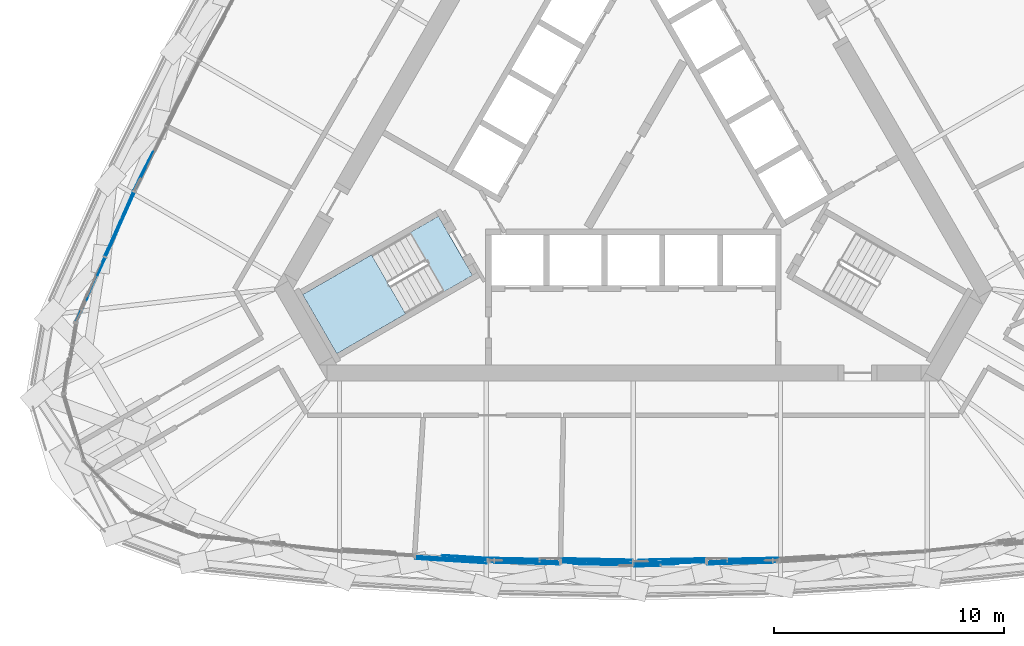
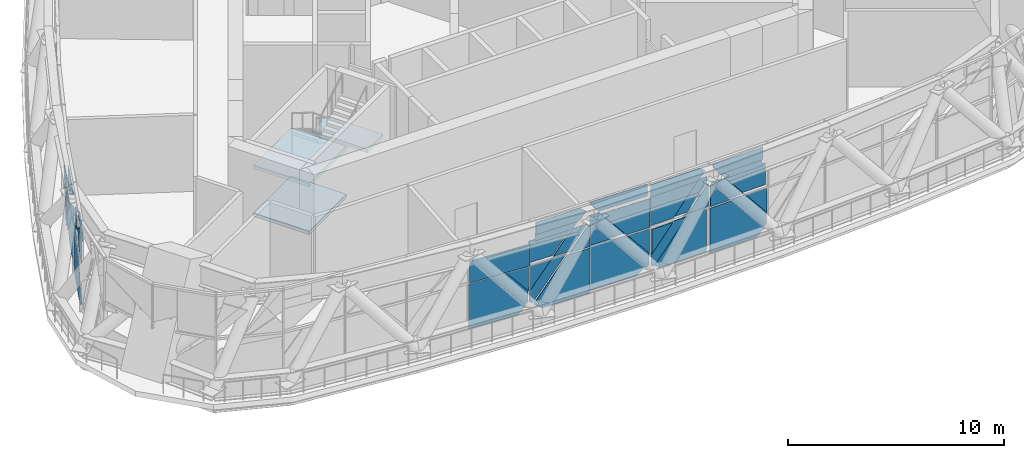
# One storey, part 10 of 33: 46 plates, 3 slabs, 3 elements without a shape of their own.
"""IFC4 building model written with IfcOpenShell, lengths in metres."""

from ifc_helpers import new_model, si_unit, direction, frame, origin, place, context, subcontext, project, spatial, polyline, outline, extrude, material, layer, layer_set, type_object, element, aggregate, save


model = new_model("IFC4")

# Units and contexts
model_context = context("Model", 3, precision=1e-05, world=origin(), true_north=direction((0.0, 1.0)))
body_context = subcontext(model_context, "Body", "Model", "MODEL_VIEW")
ifc_project = project(units=[si_unit("LENGTHUNIT", "METRE"), si_unit("AREAUNIT", "SQUARE_METRE"), si_unit("VOLUMEUNIT", "CUBIC_METRE"), si_unit("PLANEANGLEUNIT", "RADIAN"), si_unit("MASSUNIT", "GRAM", prefix="KILO")], contexts=[model_context])

# Site, building, storey
site_placement = place(None, origin())
site = spatial("IfcSite", under=ifc_project, at=site_placement, CompositionType="ELEMENT")
building_placement = place(site_placement, origin())
building = spatial("IfcBuilding", under=site, at=building_placement, Name="Mestral Congress Tower", CompositionType="ELEMENT")
storey_placement = place(building_placement, frame((0.0, 0.0, 256.199951171875)))
storey = spatial("IfcBuildingStorey", under=building, at=storey_placement, Name="L60", CompositionType="ELEMENT", Elevation=256.199951171875)

# Stair, slabs
ifc_material_1 = material(Name="Concrete C60/75", Category="concrete")
stair_type = type_object("IfcStairType", Name="Exit stair 1400", PredefinedType="HALF_TURN_STAIR", material=ifc_material_1)
placement = place(storey_placement, origin())
stair = element("IfcStair", 1, at=placement, inside=storey, type_object=stair_type, Name="L60 ST3", PredefinedType="HALF_TURN_STAIR")
ifc_layer_1 = layer(ifc_material_1, 0.199951171875)
ifc_layer_set_1 = layer_set([ifc_layer_1], Name="Concrete C60/75")
slab_type = type_object("IfcSlabType", Name="Exit stair landing 200", PredefinedType="LANDING", material=ifc_layer_set_1)
slab_1_placement = place(storey_placement, frame((0.0, 0.0, 1.150146484375)))
slab_1 = element("IfcSlab", 2, at=slab_1_placement, type_object=slab_type, Name="ST3 landing 1", PredefinedType="LANDING", context=body_context, shape_type="SweptSolid", body=[
    extrude(outline(polyline([(-11.39453125, -4.864013671875), (-9.90966796875, -7.43603515625), (-12.906005859375, -9.166015625), (-14.39111328125, -6.593994140625), (-11.39453125, -4.864013671875)])), origin(), (0.0, 0.0, 1.0), 0.199951171875),
])
slab_2_placement = place(storey_placement, frame((0.0, 0.0, 2.5)))
slab_2 = element("IfcSlab", 3, at=slab_2_placement, type_object=slab_type, Name="ST3 landing 2", PredefinedType="LANDING", context=body_context, shape_type="SweptSolid", body=[
    extrude(outline(polyline([(-8.48486328125, -3.18408203125), (-6.999755859375, -5.756103515625), (-8.2294921875, -6.466064453125), (-9.714599609375, -3.89404296875), (-8.48486328125, -3.18408203125)])), origin(), (0.0, 0.0, 1.0), 0.199951171875),
])
slab_3_placement = place(storey_placement, frame((0.0, 0.0, 3.85009765625)))
slab_3 = element("IfcSlab", 4, at=slab_3_placement, type_object=slab_type, Name="ST3 landing 3", PredefinedType="LANDING", context=body_context, shape_type="SweptSolid", body=[
    extrude(outline(polyline([(-11.39453125, -4.864013671875), (-9.90966796875, -7.43603515625), (-12.906005859375, -9.166015625), (-14.39111328125, -6.593994140625), (-11.39453125, -4.864013671875)])), origin(), (0.0, 0.0, 1.0), 0.199951171875),
])
aggregate(stair, [slab_1, slab_2, slab_3])

# Curtain wall, plates
ifc_material_2 = material(Name="Clear low-emissivity double glazing", Category="glass")
curtain_wall_type = type_object("IfcCurtainWallType", Name="Facade refuge band screen", PredefinedType="USERDEFINED", material=ifc_material_2)
curtain_wall_1 = element("IfcCurtainWall", 5, at=placement, inside=storey, type_object=curtain_wall_type, Name="Facade refuge band screen face 1", ObjectType="CURTAIN WALL", PredefinedType="USERDEFINED")
ifc_material_3 = material(Name="Anodised aluminium", Category="aluminium")
ifc_layer_2 = layer(ifc_material_3, 0.028076171875)
ifc_layer_set_2 = layer_set([ifc_layer_2], Name="Anodised aluminium")
plate_type_1 = type_object("IfcPlateType", Name="Facade refuge band screen brace cover panel", PredefinedType="CURTAIN_PANEL", material=ifc_layer_set_2)
plate_1_placement = place(storey_placement, frame((-6.3759765625, -18.076904296875, 0.491455078125), z_axis=(-0.062144792562, -0.998065140497, 0.002000020462), x_axis=(-0.767387490576, 0.046500103991, -0.639495253803)))
plate_1 = element("IfcPlate", 6, at=plate_1_placement, type_object=plate_type_1, Name="Facade refuge band screen brace cover panel", PredefinedType="CURTAIN_PANEL", context=body_context, shape_type="SweptSolid", body=[
    extrude(outline(polyline([(0.0, 0.0), (0.19470318054677788, -1.3877787807814457e-17), (0.19552728050661194, -2.8273204963697363), (-0.4152802366800775, -2.319240069666775), (-0.416021081754108, -0.5002534767623802), (0.0, 0.0)])), origin(), (0.0, 0.0, -1.0), 0.028076171875),
])
plate_2_placement = place(storey_placement, frame((-6.3896484375, -18.295654296875, 3.887939453125), z_axis=(-0.062212308578, -0.998060940386, 0.001996981848), x_axis=(-0.000198846292, -0.001988462922, -0.999998003236)))
plate_2 = element("IfcPlate", 7, at=plate_2_placement, type_object=plate_type_1, Name="Facade refuge band screen brace cover panel", PredefinedType="CURTAIN_PANEL", context=body_context, shape_type="SweptSolid", body=[
    extrude(outline(polyline([(0.0, 0.0), (1.227785654723579, -1.3552527156068805e-20), (1.2280185806292792, -3.115898985468906), (0.00023292590570029898, -3.115898985468906), (0.0, 0.0)])), origin(), (0.0, 0.0, -1.0), 0.028076171875),
])
plate_3_placement = place(storey_placement, frame((-4.394287109375, -18.1630859375, 2.5400390625), z_axis=(-0.020772057904, -0.99978218078, 0.002027956156), x_axis=(-0.632400841167, 0.011568023168, -0.774554941196)))
plate_3 = element("IfcPlate", 8, at=plate_3_placement, type_object=plate_type_1, Name="Facade refuge band screen brace cover panel", PredefinedType="CURTAIN_PANEL", context=body_context, shape_type="SweptSolid", body=[
    extrude(outline(polyline([(0.0, 0.0), (2.797725960217722, 2.220446049250313e-16), (2.797835878501334, -0.202008393120928), (2.2944649279767217, -0.6130950301969772), (0.5007369591344303, -0.6131953106424264), (0.0, 0.0)])), origin(), (0.0, 0.0, -1.0), 0.028076171875),
])
plate_4_placement = place(storey_placement, frame((-5.08837890625, -18.1884765625, 2.66015625), z_axis=(-0.020973276421, -0.999777581138, 0.002215836356), x_axis=(0.632398462497, -0.011549744737, 0.774557156076)))
plate_4 = element("IfcPlate", 9, at=plate_4_placement, type_object=plate_type_1, Name="Facade refuge band screen brace cover panel", PredefinedType="CURTAIN_PANEL", context=body_context, shape_type="SweptSolid", body=[
    extrude(outline(polyline([(0.0, 0.0), (1.5851421522881375, 1.1102230246251565e-16), (2.08587974947005, -0.6132013570177256), (0.5005832030260295, -0.613012304457274), (0.0, 0.0)])), origin(), (0.0, 0.0, -1.0), 0.028076171875),
])
plate_5_placement = place(storey_placement, frame((-0.030517578125, -18.2978515625, 0.50048828125), z_axis=(-0.0208325367, -0.999781090475, 0.001943333192), x_axis=(-0.771003319862, 0.014827961395, -0.636658473848)))
plate_5 = element("IfcPlate", 10, at=plate_5_placement, type_object=plate_type_1, Name="Facade refuge band screen brace cover panel", PredefinedType="CURTAIN_PANEL", context=body_context, shape_type="SweptSolid", body=[
    extrude(outline(polyline([(0.0, 0.0), (0.2017063983234755, 0.0), (0.19955693553482678, -2.80959452302693), (-0.4133884032166414, -2.303544798926664), (-0.41207075664309534, -0.498771348582435), (0.0, 0.0)])), origin(), (0.0, 0.0, -1.0), 0.028076171875),
])
plate_6_placement = place(storey_placement, frame((-1.276123046875, -18.227783203125, 2.66015625), z_axis=(-0.020809412345, -0.999781410797, 0.002024594598), x_axis=(-0.99978345984, 0.020809455309, 1.55775e-07)))
plate_6 = element("IfcPlate", 11, at=plate_6_placement, type_object=plate_type_1, Name="Facade refuge band screen brace cover panel", PredefinedType="CURTAIN_PANEL", context=body_context, shape_type="SweptSolid", body=[
    extrude(outline(polyline([(0.0, 0.0), (0.7948511242041842, 0.0), (1.869111582126374, -1.3029808367556823), (1.8688827862871842, -1.6279328355030247), (1.3419127834005367, -1.6279328763429242), (0.0, 0.0)])), origin(), (0.0, 0.0, -1.0), 0.028076171875),
])
plate_7_placement = place(storey_placement, frame((1.974365234375, -18.33349609375, 2.5400390625), z_axis=(0.020831191528, -0.999781119024, 0.001943065362), x_axis=(-0.635900272312, -0.014749116759, -0.771630291803)))
plate_7 = element("IfcPlate", 12, at=plate_7_placement, type_object=plate_type_1, Name="Facade refuge band screen brace cover panel", PredefinedType="CURTAIN_PANEL", context=body_context, shape_type="SweptSolid", body=[
    extrude(outline(polyline([(0.0, 0.0), (2.80959534517603, 0.0), (2.809596280148522, -0.2018946914122215), (2.310354576324532, -0.613395393561344), (0.5055806460727922, -0.6133323094237655), (0.0, 0.0)])), origin(), (0.0, 0.0, -1.0), 0.028076171875),
])
plate_8_placement = place(storey_placement, frame((2.070068359375, -18.185302734375, 2.66015625), z_axis=(0.020653204348, -0.999784550401, 0.002073144927), x_axis=(-0.999786698916, -0.020653248413, 1.53218e-07)))
plate_8 = element("IfcPlate", 13, at=plate_8_placement, type_object=plate_type_1, Name="Facade refuge band screen brace cover panel", PredefinedType="CURTAIN_PANEL", context=body_context, shape_type="SweptSolid", body=[
    extrude(outline(polyline([(0.0, 0.0), (0.7948460626504522, 6.776263578034403e-21), (-0.5473047279097621, -1.6279332087483172), (-1.074274721181241, -1.6279335024177186), (-1.0742596440786927, -1.3029815107570175), (0.0, 0.0)])), origin(), (0.0, 0.0, -1.0), 0.028076171875),
])
plate_9_placement = place(storey_placement, frame((6.320068359375, -18.127197265625, 0.500732421875), z_axis=(0.020772057904, -0.99978218078, 0.002027956156), x_axis=(-0.774706760682, -0.017377873173, -0.632081833687)))
plate_9 = element("IfcPlate", 14, at=plate_9_placement, type_object=plate_type_1, Name="Facade refuge band screen brace cover panel", PredefinedType="CURTAIN_PANEL", context=body_context, shape_type="SweptSolid", body=[
    extrude(outline(polyline([(0.0, 0.0), (0.20200842302569583, 0.0), (0.2035307419020993, -2.7977255460501143), (-0.4099369425790105, -2.2973223173090886), (-0.41081267837906305, -0.5035945594399999), (0.0, 0.0)])), origin(), (0.0, 0.0, -1.0), 0.028076171875),
])
plate_10_placement = place(storey_placement, frame((4.297119140625, -18.205078125, 2.66015625), z_axis=(0.020973276421, -0.999777581138, 0.002215836356), x_axis=(-0.63249080325, -0.011551849041, 0.774481722566)))
plate_10 = element("IfcPlate", 15, at=plate_10_placement, type_object=plate_type_1, Name="Facade refuge band screen brace cover panel", PredefinedType="CURTAIN_PANEL", context=body_context, shape_type="SweptSolid", body=[
    extrude(outline(polyline([(0.0, 0.0), (1.5852965577166342, 0.0), (1.0844858375335829, -0.6131416378208456), (-0.5006563034830392, -0.6129526036738204), (0.0, 0.0)])), origin(), (0.0, 0.0, -1.0), 0.028076171875),
])

curtain_wall_2 = element("IfcCurtainWall", 16, at=placement, inside=storey, type_object=curtain_wall_type, Name="Facade refuge band screen face 3", ObjectType="CURTAIN WALL", PredefinedType="USERDEFINED")
plate_11_placement = place(storey_placement, frame((-21.76025390625, -2.0595703125, 0.492919921875), z_axis=(-0.895493770412, 0.445069290061, 0.002057716775), x_axis=(0.34467974884, 0.696416921159, -0.629443677117)))
plate_11 = element("IfcPlate", 17, at=plate_11_placement, type_object=plate_type_1, Name="Facade refuge band screen brace cover panel", PredefinedType="CURTAIN_PANEL", context=body_context, shape_type="SweptSolid", body=[
    extrude(outline(polyline([(0.0, 0.0), (0.19587346839648043, 0.0), (0.1932620797036304, -2.791049805833587), (-0.4164851418996489, -2.2971239675216517), (-0.4148357820589666, -0.5122800608642165), (0.0, 0.0)])), origin(), (0.0, 0.0, -1.0), 0.028076171875),
])
plate_12_placement = place(storey_placement, frame((-22.552001953125, -3.943115234375, 2.5400390625), z_axis=(-0.913157613397, 0.407601726808, 0.002001349188), x_axis=(0.261053886366, 0.588600561309, -0.765114532368)))
plate_12 = element("IfcPlate", 18, at=plate_12_placement, type_object=plate_type_1, Name="Facade refuge band screen brace cover panel", PredefinedType="CURTAIN_PANEL", context=body_context, shape_type="SweptSolid", body=[
    extrude(outline(polyline([(0.0, 0.0), (2.8561772981828684, 2.220446049250313e-16), (2.856123351964622, -0.18458847432082992), (2.345375644479364, -0.6143204227320491), (0.5169384016942707, -0.6142605332061857), (0.0, 0.0)])), origin(), (0.0, 0.0, -1.0), 0.028076171875),
])
plate_13_placement = place(storey_placement, frame((-23.015380859375, -4.913330078125, 3.6728515625), z_axis=(-0.913176686504, 0.4075587225, 0.002055952184), x_axis=(-0.001928636217, 0.000723238581, -0.999997878642)))
plate_13 = element("IfcPlate", 19, at=plate_13_placement, type_object=plate_type_1, Name="Facade refuge band screen brace cover panel", PredefinedType="CURTAIN_PANEL", context=body_context, shape_type="SweptSolid", body=[
    extrude(outline(polyline([(0.0, 0.0), (1.0126974607939636, 2.710505431213761e-20), (1.0124773344678986, -1.7527632557194333), (0.0, 0.0)])), origin(), (0.0, 0.0, -1.0), 0.028076171875),
])
plate_14_placement = place(storey_placement, frame((-22.614990234375, -4.163818359375, 3.775634765625), z_axis=(-0.913153330022, 0.407611561633, 0.001952099514), x_axis=(0.331438283477, 0.745276566016, -0.578542569215)))
plate_14 = element("IfcPlate", 20, at=plate_14_placement, type_object=plate_type_1, Name="Facade refuge band screen brace cover panel", PredefinedType="CURTAIN_PANEL", context=body_context, shape_type="SweptSolid", body=[
    extrude(outline(polyline([(0.0, 0.0), (1.9280841929126362, -1.1102230246251565e-16), (2.445811524017842, -0.3672255057080198), (1.7354871240437375, -1.3686727695556447), (-0.14190625491900333, -0.037032678616337064), (0.0, 0.0)])), origin(), (0.0, 0.0, -1.0), 0.028076171875),
])

# Plate
ifc_layer_3 = layer(ifc_material_2, 0.028076171875)
ifc_layer_set_3 = layer_set([ifc_layer_3], Name="Clear low-emissivity double glazing")
plate_type_2 = type_object("IfcPlateType", Name="Facade refuge band screen panel", PredefinedType="CURTAIN_PANEL", material=ifc_layer_set_3)
plate_15_placement = place(storey_placement, frame((-6.38134765625, -18.16064453125, 2.5400390625), z_axis=(-0.062103842856, -0.998067501568, 0.002091653863), x_axis=(0.0, -0.002095699205, -0.99999780402)))
plate_15 = element("IfcPlate", 21, at=plate_15_placement, type_object=plate_type_2, Name="Refuge screen glass unit", PredefinedType="CURTAIN_PANEL", context=body_context, shape_type="SweptSolid", body=[
    extrude(outline(polyline([(0.0, 0.0), (1.3979522886252533, 2.710505431213761e-20), (-0.00015144701286650406, -1.163623102585348), (0.0, 0.0)])), origin(), (0.0, 0.0, -1.0), 0.028076171875),
])

plate_16_placement = place(storey_placement, frame((-6.972900390625, -18.158935546875, 0.0), z_axis=(-0.062276924988, -0.998056942622, 0.001980882912), x_axis=(-0.998058900769, 0.062277047097, -3.7975e-08)))
plate_16 = element("IfcPlate", 22, at=plate_16_placement, type_object=plate_type_2, Name="Refuge screen glass unit", PredefinedType="CURTAIN_PANEL", context=body_context, shape_type="SweptSolid", body=[
    extrude(outline(polyline([(0.0, 0.0), (2.525406862761962, 5.421010862427522e-20), (2.5252387243580205, -2.5400442754790995), (1.3679509642309704, -2.5400438481585783), (-0.4409883919181703, -0.36694431394830557), (0.0, 0.0)])), origin(), (0.0, 0.0, -1.0), 0.028076171875),
])

plate_17_placement = place(storey_placement, frame((-3.206787109375, -18.289794921875, 2.5400390625), z_axis=(-0.020710473776, -0.999783570337, 0.001971994015), x_axis=(9.53168e-07, -0.001972436813, -0.999998054744)))
plate_17 = element("IfcPlate", 23, at=plate_17_placement, type_object=plate_type_2, Name="Refuge screen glass unit", PredefinedType="CURTAIN_PANEL", context=body_context, shape_type="SweptSolid", body=[
    extrude(outline(polyline([(0.0, 0.0), (2.54004423406527, 1.3552527156068805e-20), (2.5399392784840855, -2.502737565077655), (2.166872950130609, -2.9596184125959804), (-4.97707290109912e-05, -1.1899527755977957), (0.0, 0.0)])), origin(), (0.0, 0.0, -1.0), 0.028076171875),
])

plate_18_placement = place(storey_placement, frame((-6.32080078125, -18.1630859375, 2.5400390625), z_axis=(-0.020873579498, -0.999779900515, 0.002108128414), x_axis=(0.999782122136, -0.020873625882, 0.0)))
plate_18 = element("IfcPlate", 24, at=plate_18_placement, type_object=plate_type_2, Name="Refuge screen glass unit", PredefinedType="CURTAIN_PANEL", context=body_context, shape_type="SweptSolid", body=[
    extrude(outline(polyline([(0.0, 0.0), (1.1345245315317107, 0.0), (6.115320082579942e-05, -1.3894073842843384), (0.0, 0.0)])), origin(), (0.0, 0.0, -1.0), 0.028076171875),
])

plate_19_placement = place(storey_placement, frame((-3.296875, -18.33740234375, 3.887939453125), z_axis=(-0.020467139051, -0.999788731807, 0.001894194211), x_axis=(0.99979052551, -0.020467171131, 2.448951e-06)))
plate_19 = element("IfcPlate", 25, at=plate_19_placement, type_object=plate_type_2, Name="Refuge screen glass unit", PredefinedType="CURTAIN_PANEL", context=body_context, shape_type="SweptSolid", body=[
    extrude(outline(polyline([(0.0, 0.0), (0.0891276396506661, 4.235164736271502e-22), (0.08917460154988284, -1.2277856241448855), (-1.002609192224534, -1.2277827321460402), (0.0, 0.0)])), origin(), (0.0, 0.0, -1.0), 0.028076171875),
])

plate_20_placement = place(storey_placement, frame((-6.31884765625, -18.074951171875, 2.66015625), z_axis=(-0.020768662014, -0.999782268663, 0.002019392268), x_axis=(6.51269e-07, 0.002019814399, 0.999997960173)))
plate_20 = element("IfcPlate", 26, at=plate_20_placement, type_object=plate_type_2, Name="Refuge screen glass unit", PredefinedType="CURTAIN_PANEL", context=body_context, shape_type="SweptSolid", body=[
    extrude(outline(polyline([(0.0, 0.0), (1.2277856298466838, 2.0328790734103208e-20), (1.227693392781861, -2.2353446274715423), (-5.097498931183547e-05, -1.2324443623212218), (0.0, 0.0)])), origin(), (0.0, 0.0, -1.0), 0.028076171875),
])

plate_21_placement = place(storey_placement, frame((-6.059814453125, -18.195068359375, 4.2880859375), z_axis=(-0.020791906626, -0.999782257338, 0.001770460493), x_axis=(0.999783824265, -0.020791939245, -1.8333e-08)))
plate_21 = element("IfcPlate", 27, at=plate_21_placement, type_object=plate_type_2, Name="Refuge screen glass unit", PredefinedType="CURTAIN_PANEL", context=body_context, shape_type="SweptSolid", body=[
    extrude(outline(polyline([(0.0, 0.0), (2.300302452312158, 0.0), (1.9738301033188093, -0.40014707532679106), (1.5235806819632043e-05, -0.40014715368225173), (0.0, 0.0)])), origin(), (0.0, 0.0, -1.0), 0.028076171875),
])

plate_22_placement = place(storey_placement, frame((-3.761474609375, -18.32080078125, 4.2880859375), z_axis=(-0.020732449089, -0.999783153779, 0.001952171502), x_axis=(-0.999785058861, 0.020732488456, -7.0851e-08)))
plate_22 = element("IfcPlate", 28, at=plate_22_placement, type_object=plate_type_2, Name="Refuge screen glass unit", PredefinedType="CURTAIN_PANEL", context=body_context, shape_type="SweptSolid", body=[
    extrude(outline(polyline([(0.0, 0.0), (2.300297385186267, 1.3552527156068805e-20), (2.30032770602126, -0.6918960718665793), (-0.04856852905653278, -0.6918956522714123), (-0.35845809838529585, -0.4389656219521859), (0.0, 0.0)])), origin(), (0.0, 0.0, -1.0), 0.028076171875),
])

plate_23_placement = place(storey_placement, frame((-0.031005859375, -18.32373046875, 2.5400390625), z_axis=(-0.020629470921, -0.999784977339, 0.002103334454), x_axis=(0.0, -0.002103782161, -0.999997787048)))
plate_23 = element("IfcPlate", 29, at=plate_23_placement, type_object=plate_type_2, Name="Refuge screen glass unit", PredefinedType="CURTAIN_PANEL", context=body_context, shape_type="SweptSolid", body=[
    extrude(outline(polyline([(0.0, 0.0), (1.3925812067155594, 0.0), (-4.982101308274069e-05, -1.1479493734370303), (0.0, 0.0)])), origin(), (0.0, 0.0, -1.0), 0.028076171875),
])

plate_24_placement = place(storey_placement, frame((-0.635009765625, -18.17626953125, 0.0), z_axis=(-0.020731375885, -0.99978308055, 0.00200047494), x_axis=(-0.999785081072, 0.020731417352, -7.857e-09)))
plate_24 = element("IfcPlate", 30, at=plate_24_placement, type_object=plate_type_2, Name="Refuge screen glass unit", PredefinedType="CURTAIN_PANEL", context=body_context, shape_type="SweptSolid", body=[
    extrude(outline(polyline([(0.0, 0.0), (2.508839774128887, -2.710505431213761e-20), (2.5089460431771795, -2.5400442341415697), (1.335596322403938, -2.5400440471228714), (-0.4514961490438658, -0.37207119566192876), (0.0, 0.0)])), origin(), (0.0, 0.0, -1.0), 0.028076171875),
])

plate_25_placement = place(storey_placement, frame((-0.0322265625, -18.389404296875, 2.66015625), z_axis=(-0.02068562385, -0.999783936714, 0.002045691842), x_axis=(-0.999786028707, 0.020685666606, -2.57753e-07)))
plate_25 = element("IfcPlate", 31, at=plate_25_placement, type_object=plate_type_2, Name="Refuge screen glass unit", PredefinedType="CURTAIN_PANEL", context=body_context, shape_type="SweptSolid", body=[
    extrude(outline(polyline([(0.0, 0.0), (1.2468455706957389, 0.0), (2.589001347160371, -1.6279337611603835), (6.523314641977565e-05, -1.627932772473424), (0.0, 0.0)])), origin(), (0.0, 0.0, -1.0), 0.028076171875),
])

plate_26_placement = place(storey_placement, frame((-0.02734375, -18.15625, 4.2880859375), z_axis=(-0.020697145393, -0.999783723812, 0.002033168103), x_axis=(-0.999785790254, 0.020697188375, 9.9946e-08)))
plate_26 = element("IfcPlate", 32, at=plate_26_placement, type_object=plate_type_2, Name="Refuge screen glass unit", PredefinedType="CURTAIN_PANEL", context=body_context, shape_type="SweptSolid", body=[
    extrude(outline(polyline([(0.0, 0.0), (2.588936115652586, -1.3552527156068805e-20), (3.007744716389855, -0.5080572839951277), (3.0077548408127623, -0.691895787191917), (3.038729925211116e-05, -0.6918960788137964), (0.0, 0.0)])), origin(), (0.0, 0.0, -1.0), 0.028076171875),
])

plate_27_placement = place(storey_placement, frame((-3.146240234375, -18.264404296875, 3.963134765625), z_axis=(-0.020909235126, -0.999779623036, 0.0018732989), x_axis=(0.635967456728, -0.014746233368, -0.771574975349)))
plate_27 = element("IfcPlate", 33, at=plate_27_placement, type_object=plate_type_2, Name="Refuge screen glass unit", PredefinedType="CURTAIN_PANEL", context=body_context, shape_type="SweptSolid", body=[
    extrude(outline(polyline([(0.0, 0.0), (1.6887257327602831, -1.1102230246251565e-16), (1.0053816176193757, -0.8288345888039743), (0.0, 0.0)])), origin(), (0.0, 0.0, -1.0), 0.028076171875),
])

plate_28_placement = place(storey_placement, frame((3.142578125, -18.093017578125, 2.5400390625), z_axis=(0.020797171594, -0.999781640136, 0.002037081379), x_axis=(9.6471662e-05, -0.002035515287, -0.999997923683)))
plate_28 = element("IfcPlate", 34, at=plate_28_placement, type_object=plate_type_2, Name="Refuge screen glass unit", PredefinedType="CURTAIN_PANEL", context=body_context, shape_type="SweptSolid", body=[
    extrude(outline(polyline([(0.0, 0.0), (2.5400442481183654, -2.710505431213761e-20), (2.5399086158945607, -2.5088448418260803), (2.1678129203960115, -2.9603207969854366), (-6.34517426174808e-05, -1.1731056345445705), (0.0, 0.0)])), origin(), (0.0, 0.0, -1.0), 0.028076171875),
])

plate_29_placement = place(storey_placement, frame((0.033203125, -18.431884765625, 2.5400390625), z_axis=(0.02084206133, -0.999780921556, 0.001928048762), x_axis=(0.99978277984, 0.020842100069, 0.0)))
plate_29 = element("IfcPlate", 35, at=plate_29_placement, type_object=plate_type_2, Name="Refuge screen glass unit", PredefinedType="CURTAIN_PANEL", context=body_context, shape_type="SweptSolid", body=[
    extrude(outline(polyline([(0.0, 0.0), (1.1479544369714048, -6.776263578034403e-21), (-5.59724367087155e-05, -1.3925807133727006), (0.0, 0.0)])), origin(), (0.0, 0.0, -1.0), 0.028076171875),
])

plate_30_placement = place(storey_placement, frame((2.072021484375, -18.28125, 2.66015625), z_axis=(0.020909235126, -0.999779623036, 0.0018732989), x_axis=(0.635967456728, 0.014746233368, 0.771574975349)))
plate_30 = element("IfcPlate", 36, at=plate_30_placement, type_object=plate_type_2, Name="Refuge screen glass unit", PredefinedType="CURTAIN_PANEL", context=body_context, shape_type="SweptSolid", body=[
    extrude(outline(polyline([(0.0, 0.0), (1.6887257327602831, 1.1102230246251565e-16), (0.6833441151409073, -0.8288345888039742), (0.0, 0.0)])), origin(), (0.0, 0.0, -1.0), 0.028076171875),
])

plate_31_placement = place(storey_placement, frame((1.27685546875, -18.267578125, 2.66015625), z_axis=(0.020750569162, -0.999782790861, 0.001945501888), x_axis=(-0.999784682944, -0.02075060845, -9.36e-09)))
plate_31 = element("IfcPlate", 37, at=plate_31_placement, type_object=plate_type_2, Name="Refuge screen glass unit", PredefinedType="CURTAIN_PANEL", context=body_context, shape_type="SweptSolid", body=[
    extrude(outline(polyline([(0.0, 0.0), (1.2468506239273776, 0.0), (1.2467847498259073, -1.6279327800168644), (-1.341907280873751, -1.6279327441176752), (0.0, 0.0)])), origin(), (0.0, 0.0, -1.0), 0.028076171875),
])

plate_32_placement = place(storey_placement, frame((2.67578125, -18.263916015625, 4.97998046875), z_axis=(0.020721608979, -0.999782964599, 0.002153745231), x_axis=(0.771807752834, 0.014627163743, -0.63568768963)))
plate_32 = element("IfcPlate", 38, at=plate_32_placement, type_object=plate_type_2, Name="Refuge screen glass unit", PredefinedType="CURTAIN_PANEL", context=body_context, shape_type="SweptSolid", body=[
    extrude(outline(polyline([(0.0, 0.0), (0.3963479577061697, 0.0), (0.39607388060342374, -0.5701393650625999), (-1.6024426651892087, -2.2158981077816966), (-2.0422500747174714, -1.6817730007069924), (0.0, 0.0)])), origin(), (0.0, 0.0, -1.0), 0.028076171875),
])

plate_33_placement = place(storey_placement, frame((6.32080078125, -18.1630859375, 2.5400390625), z_axis=(0.020873579498, -0.999779900515, 0.002108128414), x_axis=(0.0, -0.002108587827, -0.999997776926)))
plate_33 = element("IfcPlate", 39, at=plate_33_placement, type_object=plate_type_2, Name="Refuge screen glass unit", PredefinedType="CURTAIN_PANEL", context=body_context, shape_type="SweptSolid", body=[
    extrude(outline(polyline([(0.0, 0.0), (1.389407385630133, 1.3552527156068805e-20), (4.9934819143838894e-05, -1.1345245304327982), (0.0, 0.0)])), origin(), (0.0, 0.0, -1.0), 0.028076171875),
])

plate_34_placement = place(storey_placement, frame((5.708984375, -18.242919921875, 0.0), z_axis=(0.020710473776, -0.999783570337, 0.001971994015), x_axis=(-0.999785514296, -0.020710514308, -1.33167e-07)))
plate_34 = element("IfcPlate", 40, at=plate_34_placement, type_object=plate_type_2, Name="Refuge screen glass unit", PredefinedType="CURTAIN_PANEL", context=body_context, shape_type="SweptSolid", body=[
    extrude(outline(polyline([(0.0, 0.0), (2.50273756727838, 0.0), (2.5026310471932116, -2.5400442318317404), (1.3126782705545734, -2.5400441003309346), (-0.4568964921421781, -0.3730471681280788), (0.0, 0.0)])), origin(), (0.0, 0.0, -1.0), 0.028076171875),
])

plate_35_placement = place(storey_placement, frame((5.086669921875, -18.098388671875, 2.66015625), z_axis=(0.020698295169, -0.99978397855, 0.001891246339), x_axis=(-0.632491257943, -0.011629270092, 0.774480192582)))
plate_35 = element("IfcPlate", 41, at=plate_35_placement, type_object=plate_type_2, Name="Refuge screen glass unit", PredefinedType="CURTAIN_PANEL", context=body_context, shape_type="SweptSolid", body=[
    extrude(outline(polyline([(0.0, 0.0), (1.585299391942597, 0.0), (0.17122846017238924, -1.7312333751854156), (-0.7796369196605424, -0.9545013946071856), (0.0, 0.0)])), origin(), (0.0, 0.0, -1.0), 0.028076171875),
])

plate_36_placement = place(storey_placement, frame((6.059814453125, -18.19580078125, 3.887939453125), z_axis=(0.020791906626, -0.999782257338, 0.001770460493), x_axis=(-0.999783824267, -0.020791939174, 2.1365e-08)))
plate_36 = element("IfcPlate", 42, at=plate_36_placement, type_object=plate_type_2, Name="Refuge screen glass unit", PredefinedType="CURTAIN_PANEL", context=body_context, shape_type="SweptSolid", body=[
    extrude(outline(polyline([(0.0, 0.0), (1.973814867511991, -1.3552527156068805e-20), (2.3002872323901666, -0.4001470623666637), (-1.5219921989157966e-05, -0.40014715368285614), (0.0, 0.0)])), origin(), (0.0, 0.0, -1.0), 0.028076171875),
])

plate_37_placement = place(storey_placement, frame((6.061279296875, -18.271728515625, 4.97998046875), z_axis=(0.020735864178, -0.999783184785, 0.001899304726), x_axis=(-4.507659e-06, -0.001899806676, -0.999998195356)))
plate_37 = element("IfcPlate", 43, at=plate_37_placement, type_object=plate_type_2, Name="Refuge screen glass unit", PredefinedType="CURTAIN_PANEL", context=body_context, shape_type="SweptSolid", body=[
    extrude(outline(polyline([(0.0, 0.0), (0.6918960655462815, -3.3881317890172014e-21), (0.6919968771793512, -2.3002973826788096), (0.2042204982417797, -2.698578414216248), (0.00011884025255081166, -2.698582311985532), (0.0, 0.0)])), origin(), (0.0, 0.0, -1.0), 0.028076171875),
])

plate_38_placement = place(storey_placement, frame((3.296875, -18.33935546875, 3.887939453125), z_axis=(0.020673790335, -0.999784500582, 0.00188329227), x_axis=(0.632489398474, 0.011619881605, -0.77448185206)))
plate_38 = element("IfcPlate", 44, at=plate_38_placement, type_object=plate_type_2, Name="Refuge screen glass unit", PredefinedType="CURTAIN_PANEL", context=body_context, shape_type="SweptSolid", body=[
    extrude(outline(polyline([(0.0, 0.0), (1.5852965538721246, -2.220446049250313e-16), (0.8946400280704315, -0.8455681029973418), (-0.056384665404236756, -0.06903188255283516), (0.0, 0.0)])), origin(), (0.0, 0.0, -1.0), 0.028076171875),
])

aggregate(curtain_wall_1, [plate_15, plate_16, plate_1, plate_2, plate_17, plate_18, plate_3, plate_19, plate_20, plate_21, plate_22, plate_4, plate_23, plate_24, plate_5, plate_25, plate_26, plate_27, plate_6, plate_28, plate_29, plate_7, plate_30, plate_31, plate_32, plate_8, plate_33, plate_34, plate_9, plate_35, plate_36, plate_37, plate_38, plate_10])

plate_39_placement = place(storey_placement, frame((-21.726318359375, -2.076416015625, 2.5400390625), z_axis=(-0.895467299604, 0.445122957966, 0.001966629338), x_axis=(-0.00175901155, 0.000879505775, -0.999998066172)))
plate_39 = element("IfcPlate", 45, at=plate_39_placement, type_object=plate_type_2, Name="Refuge screen glass unit", PredefinedType="CURTAIN_PANEL", context=body_context, shape_type="SweptSolid", body=[
    extrude(outline(polyline([(0.0, 0.0), (1.3879421371662153, -2.168404344971009e-19), (5.1533541503756206e-06, -1.1221860024077703), (0.0, 0.0)])), origin(), (0.0, 0.0, -1.0), 0.028076171875),
])

plate_40_placement = place(storey_placement, frame((-21.772216796875, -2.12255859375, 2.5400390625), z_axis=(-0.913141499866, 0.407637645036, 0.002037540502), x_axis=(-0.407638491207, -0.913143395358, 0.0)))
plate_40 = element("IfcPlate", 46, at=plate_40_placement, type_object=plate_type_2, Name="Refuge screen glass unit", PredefinedType="CURTAIN_PANEL", context=body_context, shape_type="SweptSolid", body=[
    extrude(outline(polyline([(0.0, 0.0), (1.1774660124196548, 0.0), (0.0002029906791603684, -1.398928685129103), (0.0, 0.0)])), origin(), (0.0, 0.0, -1.0), 0.028076171875),
])

plate_41_placement = place(storey_placement, frame((-22.962890625, -4.936767578125, 2.5400390625), z_axis=(-0.913158536187, 0.407599936779, 0.001944049091), x_axis=(-0.00177646366, 0.000789628342, -0.99999811033)))
plate_41 = element("IfcPlate", 47, at=plate_41_placement, type_object=plate_type_2, Name="Refuge screen glass unit", PredefinedType="CURTAIN_PANEL", context=body_context, shape_type="SweptSolid", body=[
    extrude(outline(polyline([(0.0, 0.0), (2.5400436116327856, 2.456395547037471e-19), (2.5400362482884047, -2.4925340972041083), (2.1852980224545733, -2.9139181567507246), (-3.526937409948825e-06, -1.074840703444032), (0.0, 0.0)])), origin(), (0.0, 0.0, -1.0), 0.028076171875),
])

plate_42_placement = place(storey_placement, frame((-24.071533203125, -7.334716796875, 0.0), z_axis=(-0.913130882705, 0.407661867639, 0.001947491592), x_axis=(0.407662640457, 0.913132614452, -1.45292e-07)))
plate_42 = element("IfcPlate", 48, at=plate_42_placement, type_object=plate_type_2, Name="Refuge screen glass unit", PredefinedType="CURTAIN_PANEL", context=body_context, shape_type="SweptSolid", body=[
    extrude(outline(polyline([(0.0, 0.0), (2.581600221073337, 2.168404344971009e-19), (2.581484470345016, -2.5400442391319915), (1.295939231246993, -2.540043836612626), (-0.4481054534571586, -0.358154719036939), (0.0, 0.0)])), origin(), (0.0, 0.0, -1.0), 0.028076171875),
])

plate_43_placement = place(storey_placement, frame((-24.259765625, -7.769287109375, 2.66015625), z_axis=(-0.913163174653, 0.407589381613, 0.001977992416), x_axis=(0.407590179032, 0.913164960977, 4.3657e-08)))
plate_43 = element("IfcPlate", 49, at=plate_43_placement, type_object=plate_type_2, Name="Refuge screen glass unit", PredefinedType="CURTAIN_PANEL", context=body_context, shape_type="SweptSolid", body=[
    extrude(outline(polyline([(0.0, 0.0), (1.0769227550576344, 0.0), (1.7249282800221588, -0.8105485195929334), (1.2009695275850867, -1.2277855052783242), (-0.00021906583047360127, -1.2277857542274657), (0.0, 0.0)])), origin(), (0.0, 0.0, -1.0), 0.028076171875),
])

plate_44_placement = place(storey_placement, frame((-24.229248046875, -7.782958984375, 4.387939453125), z_axis=(-0.913162103516, 0.407592849701, 0.001744011385), x_axis=(-0.001654187472, 0.000572795625, -0.999998467783)))
plate_44 = element("IfcPlate", 50, at=plate_44_placement, type_object=plate_type_2, Name="Refuge screen glass unit", PredefinedType="CURTAIN_PANEL", context=body_context, shape_type="SweptSolid", body=[
    extrude(outline(polyline([(0.0, 0.0), (0.5000005852974296, 5.421010862427522e-20), (0.49981917046844765, -1.2011885793502943), (-8.680575852962753e-05, -0.572992257646715), (0.0, 0.0)])), origin(), (0.0, 0.0, -1.0), 0.028076171875),
])

plate_45_placement = place(storey_placement, frame((-24.255615234375, -7.771240234375, 4.97998046875), z_axis=(-0.913114708908, 0.407698300985, 0.001903614957), x_axis=(-0.001367614209, 0.001606143732, -0.999997774964)))
plate_45 = element("IfcPlate", 51, at=plate_45_placement, type_object=plate_type_2, Name="Refuge screen glass unit", PredefinedType="CURTAIN_PANEL", context=body_context, shape_type="SweptSolid", body=[
    extrude(outline(polyline([(0.0, 0.0), (0.13574261148391842, 0.0), (0.5925626089485121, -0.5725015709904347), (0.5933191282743131, -1.4045110143817576), (0.32036945694074037, -1.4047352744885615), (0.0007750267891967266, -0.8526587091146872), (0.0, 0.0)])), origin(), (0.0, 0.0, -1.0), 0.028076171875),
])

plate_46_placement = place(storey_placement, frame((-23.07958984375, -5.205078125, 3.841796875), z_axis=(-0.913186448418, 0.407536555588, 0.002113358758), x_axis=(-0.255972892594, -0.569520006606, -0.781104884335)))
plate_46 = element("IfcPlate", 52, at=plate_46_placement, type_object=plate_type_2, Name="Refuge screen glass unit", PredefinedType="CURTAIN_PANEL", context=body_context, shape_type="SweptSolid", body=[
    extrude(outline(polyline([(0.0, 0.0), (0.9739308100430419, 5.551115123125783e-17), (0.9725989142743146, -0.675754974627499), (0.7777767158489028, -0.9194727696830073), (-0.04026763398350622, -0.2654253310580467), (0.0, 0.0)])), origin(), (0.0, 0.0, -1.0), 0.028076171875),
])

aggregate(curtain_wall_2, [plate_39, plate_11, plate_40, plate_41, plate_12, plate_13, plate_14, plate_42, plate_43, plate_44, plate_45, plate_46])

save(model, "model.ifc")
